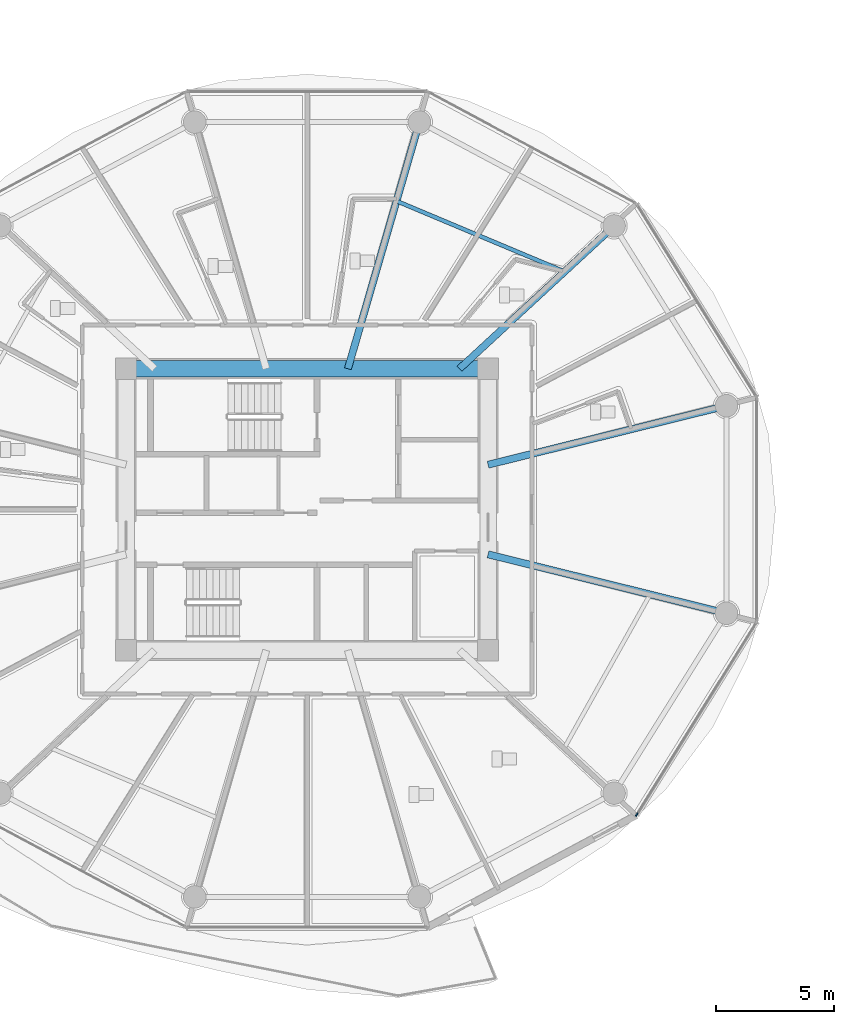
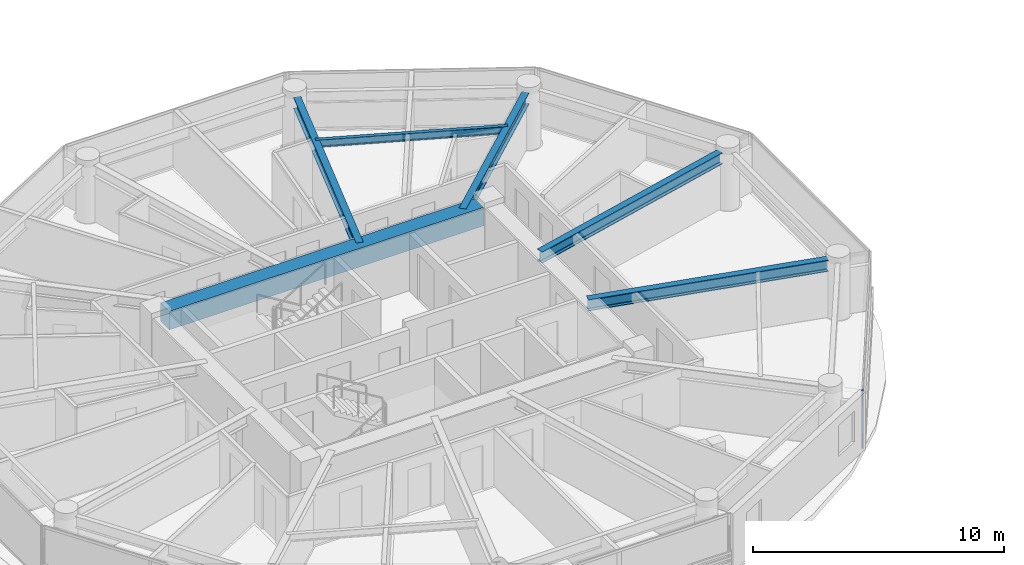
# One storey, part 5 of 31: 6 beams, 1 member, 1 element without a shape of its own.
"""IFC4 building model written with IfcOpenShell, lengths in metres."""

import ifcopenshell
import ifcopenshell.guid

model = None  # the IFC model being written
_history = None  # IfcOwnerHistory: only IFC2X3 demands one
_inside = {}  # id of a spatial element -> (the spatial element, [elements in it])
_under = {}  # id of a project, library or spatial element -> (it, [spatial elements below it])
_declared = {}  # id of a project -> (the project, [libraries it declares])
_typed = {}  # id of a type object -> (the type object, [elements of that type])
_made_of = {}  # id of a material, layer set ... -> (it, [elements and type objects made of it])


def new_model(schema):
    """Start an empty IFC model of exactly this schema.

    Asked for "IFC4X3", IfcOpenShell would pick the latest addendum, in which some entities
    have other attributes; the version numbers below select the first issue.
    IFC2X3 requires an IfcOwnerHistory on every rooted entity: one is made here for all.
    """
    global model, _history
    if schema == "IFC4X3":
        model = ifcopenshell.file(schema_version=(4, 3, 0, 0))
    else:
        model = ifcopenshell.file(schema=schema)
    _inside.clear()
    _under.clear()
    _declared.clear()
    _typed.clear()
    _made_of.clear()
    _history = None
    if model.schema == "IFC2X3":
        org = make("IfcOrganization", Name="unknown")
        user = make(
            "IfcPersonAndOrganization",
            ThePerson=make("IfcPerson", FamilyName="unknown"),
            TheOrganization=org,
        )
        app = make(
            "IfcApplication",
            ApplicationDeveloper=org,
            Version="unknown",
            ApplicationFullName="unknown",
            ApplicationIdentifier="unknown",
        )
        _history = make(
            "IfcOwnerHistory",
            OwningUser=user,
            OwningApplication=app,
            ChangeAction="ADDED",
            CreationDate=0,
        )
    return model


def make(cls, **values):
    """One entity of the class cls with the attributes given. An attribute that is None is left unset."""
    return model.create_entity(
        cls, **{name: value for name, value in values.items() if value is not None}
    )


def rooted(cls, **values):
    """An entity with a GlobalId (a new one), such as an element, a storey or a relation."""
    return make(cls, GlobalId=ifcopenshell.guid.new(), OwnerHistory=_history, **values)


def si_unit(unit_type, name, prefix=None):
    """IfcSIUnit, for example si_unit("LENGTHUNIT", "METRE", prefix="MILLI")."""
    return make("IfcSIUnit", UnitType=unit_type, Prefix=prefix, Name=name)


def assignment(units):
    """IfcUnitAssignment: the units of a project."""
    return None if units is None else make("IfcUnitAssignment", Units=units)


def point(xyz):
    """IfcCartesianPoint."""
    return None if xyz is None else make("IfcCartesianPoint", Coordinates=xyz)


def direction(xyz):
    """IfcDirection."""
    return None if xyz is None else make("IfcDirection", DirectionRatios=xyz)


def frame(location, z_axis=None, x_axis=None):
    """IfcAxis2Placement3D, a coordinate frame: its origin and axes. An axis left out is left unset."""
    return make(
        "IfcAxis2Placement3D",
        Location=point(location),
        Axis=direction(z_axis),
        RefDirection=direction(x_axis),
    )


def frame_2d(location, x_axis=None):
    """IfcAxis2Placement2D, a coordinate frame in the plane: its origin and x axis."""
    return make(
        "IfcAxis2Placement2D", Location=point(location), RefDirection=direction(x_axis)
    )


def origin():
    """The frame at (0, 0, 0) with its axes left unset."""
    return frame((0.0, 0.0, 0.0))


def origin_2d():
    """The frame at (0, 0) in the plane with its x axis left unset."""
    return frame_2d((0.0, 0.0))


def place(relative_to, where):
    """IfcLocalPlacement: puts the frame where relative to a parent placement (None: the world)."""
    return make(
        "IfcLocalPlacement", PlacementRelTo=relative_to, RelativePlacement=where
    )


def context(
    kind, dimensions, precision=None, world=None, true_north=None, identifier=None
):
    """IfcGeometricRepresentationContext, for example the 3D "Model" context."""
    return make(
        "IfcGeometricRepresentationContext",
        ContextIdentifier=identifier,
        ContextType=kind,
        CoordinateSpaceDimension=dimensions,
        Precision=precision,
        WorldCoordinateSystem=world,
        TrueNorth=true_north,
    )


def subcontext(parent, identifier, kind, view, scale=None):
    """IfcGeometricRepresentationSubContext, for example "Body" below "Model"."""
    return make(
        "IfcGeometricRepresentationSubContext",
        ContextIdentifier=identifier,
        ContextType=kind,
        ParentContext=parent,
        TargetScale=scale,
        TargetView=view,
    )


def project(units=None, contexts=None):
    """IfcProject with its units and contexts."""
    return rooted(
        "IfcProject",
        Name="project",
        RepresentationContexts=contexts,
        UnitsInContext=assignment(units),
    )


def spatial(cls, under=None, at=None, **own):
    """A site, building, storey or space (cls), placed at a placement, below another one or the project."""
    s = rooted(cls, ObjectPlacement=at, **own)
    if under is not None:
        _under.setdefault(under.id(), (under, []))[1].append(s)
    return s


def profile(cls, at=None, kind="AREA", **sizes):
    """A parametric profile (cls). Its sizes go by their IFC names, for example OverallWidth=200.0."""
    return make(cls, ProfileType=kind, Position=at, **sizes)


def rectangle(**sizes):
    """IfcRectangleProfileDef."""
    return profile("IfcRectangleProfileDef", **sizes)


def i_section(**sizes):
    """IfcIShapeProfileDef."""
    return profile("IfcIShapeProfileDef", **sizes)


def extrude(swept, where, along, depth):
    """IfcExtrudedAreaSolid: the profile swept, set in the frame where, extruded along a direction by depth."""
    return make(
        "IfcExtrudedAreaSolid",
        SweptArea=swept,
        Position=where,
        ExtrudedDirection=direction(along),
        Depth=depth,
    )


def shape(context_of_items, identifier, shape_type, items):
    """IfcShapeRepresentation: the items that make up one representation, for example the "Body"."""
    return make(
        "IfcShapeRepresentation",
        ContextOfItems=context_of_items,
        RepresentationIdentifier=identifier,
        RepresentationType=shape_type,
        Items=items,
    )


def source(mapping_origin, context_of_items, identifier, shape_type, items):
    """IfcRepresentationMap: a shape defined once, which mapped items show again and again."""
    return make(
        "IfcRepresentationMap",
        MappingOrigin=mapping_origin,
        MappedRepresentation=shape(context_of_items, identifier, shape_type, items),
    )


def transform(
    local_origin,
    x_axis=None,
    y_axis=None,
    z_axis=None,
    scale=None,
    scale2=None,
    scale3=None,
    uniform=True,
):
    """IfcCartesianTransformationOperator3D, or its non-uniform kind. x_axis, y_axis, z_axis: its Axis1, 2, 3."""
    if uniform:
        return make(
            "IfcCartesianTransformationOperator3D",
            Axis1=direction(x_axis),
            Axis2=direction(y_axis),
            LocalOrigin=point(local_origin),
            Scale=scale,
            Axis3=direction(z_axis),
        )
    return make(
        "IfcCartesianTransformationOperator3DnonUniform",
        Axis1=direction(x_axis),
        Axis2=direction(y_axis),
        LocalOrigin=point(local_origin),
        Scale=scale,
        Axis3=direction(z_axis),
        Scale2=scale2,
        Scale3=scale3,
    )


def mapped(mapping_source, mapping_target):
    """IfcMappedItem: shows the shape of a source again, moved by a transform."""
    return make(
        "IfcMappedItem", MappingSource=mapping_source, MappingTarget=mapping_target
    )


def material(Name=None, Category=None):
    """IfcMaterial."""
    return make("IfcMaterial", Name=Name, Category=Category)


def layer(
    of_material, thickness, ventilated=None, Name=None, Category=None, Priority=None
):
    """IfcMaterialLayer: one layer of a wall or slab, of a material (None: an air gap)."""
    return make(
        "IfcMaterialLayer",
        Material=of_material,
        LayerThickness=thickness,
        IsVentilated=ventilated,
        Name=Name,
        Category=Category,
        Priority=Priority,
    )


def layer_set(layers, Name=None):
    """IfcMaterialLayerSet."""
    return make("IfcMaterialLayerSet", MaterialLayers=layers, LayerSetName=Name)


def material_profile(
    of_material, cross_section, Name=None, Category=None, Priority=None
):
    """IfcMaterialProfile: a cross section and its material."""
    return make(
        "IfcMaterialProfile",
        Name=Name,
        Material=of_material,
        Profile=cross_section,
        Priority=Priority,
        Category=Category,
    )


def profile_set(profiles, Name=None, composite=None):
    """IfcMaterialProfileSet."""
    return make(
        "IfcMaterialProfileSet",
        Name=Name,
        MaterialProfiles=profiles,
        CompositeProfile=composite,
    )


def made_of(thing, what):
    """Note that an element or type object is made of a material, layer set ...; save() writes the relation."""
    if what is not None:
        _made_of.setdefault(what.id(), (what, []))[1].append(thing)
    return thing


def type_object(cls, material=None, **own):
    """A type object (cls), such as IfcWallType, which elements share."""
    return made_of(rooted(cls, **own), material)


def type_shapes(of_type, sources):
    """Give a type object the sources (RepresentationMaps) that its elements show as mapped items."""
    of_type.RepresentationMaps = sources


def element(
    cls,
    number,
    at=None,
    inside=None,
    cuts=None,
    type_object=None,
    material=None,
    context=None,
    identifier="Body",
    shape_type=None,
    held_by="IfcProductDefinitionShape",
    body=None,
    shapes=None,
    **own,
):
    """One element of the class cls, such as IfcWall. Its Tag is "e" and its number.

    at: its placement. inside: the storey or other place that contains it. cuts: it is an
    opening in that element (IfcRelVoidsElement). A single representation is given by context,
    identifier, shape_type and body (its items); several are given by shapes. held_by: the class
    of the entity that holds the representations. save() writes the other relations.
    """
    e = rooted(cls, Tag="e%d" % number, ObjectPlacement=at, **own)
    if body is not None:
        shapes = [shape(context, identifier, shape_type, body)]
    if shapes is not None:
        e.Representation = make(held_by, Representations=shapes)
    if inside is not None:
        _inside.setdefault(inside.id(), (inside, []))[1].append(e)
    if cuts is not None:
        rooted(
            "IfcRelVoidsElement", RelatingBuildingElement=cuts, RelatedOpeningElement=e
        )
    if type_object is not None:
        _typed.setdefault(type_object.id(), (type_object, []))[1].append(e)
    return made_of(e, material)


def aggregate(whole, parts):
    """IfcRelAggregates: a whole, such as a stair, and the parts it consists of."""
    return rooted("IfcRelAggregates", RelatingObject=whole, RelatedObjects=parts)


def save(model, path):
    """Write the relations noted so far, then the file.

    IfcRelAggregates (storeys below a building ...), IfcRelContainedInSpatialStructure (elements
    in a storey), IfcRelDefinesByType, IfcRelAssociatesMaterial and IfcRelDeclares: one each for
    every whole, place, type object, material and project.
    """
    for whole, parts in _under.values():
        aggregate(whole, parts)
    for where, things in _inside.values():
        rooted(
            "IfcRelContainedInSpatialStructure",
            RelatedElements=things,
            RelatingStructure=where,
        )
    for kind, things in _typed.values():
        rooted("IfcRelDefinesByType", RelatedObjects=things, RelatingType=kind)
    for what, things in _made_of.values():
        rooted("IfcRelAssociatesMaterial", RelatedObjects=things, RelatingMaterial=what)
    for by, libraries in _declared.values():
        rooted("IfcRelDeclares", RelatingContext=by, RelatedDefinitions=libraries)
    model.write(path)


model = new_model("IFC4")

# Units and contexts
model_context = context("Model", 3, precision=1e-05, world=origin(), true_north=direction((0.0, 1.0)))
body_context = subcontext(model_context, "Body", "Model", "MODEL_VIEW")
ifc_project = project(units=[si_unit("LENGTHUNIT", "METRE"), si_unit("AREAUNIT", "SQUARE_METRE"), si_unit("VOLUMEUNIT", "CUBIC_METRE"), si_unit("PLANEANGLEUNIT", "RADIAN"), si_unit("MASSUNIT", "GRAM", prefix="KILO")], contexts=[model_context])

# Site, building, storey
site_placement = place(None, origin())
site = spatial("IfcSite", under=ifc_project, at=site_placement, CompositionType="ELEMENT")
building_placement = place(site_placement, origin())
building = spatial("IfcBuilding", under=site, at=building_placement, Name="Norrkilde Senior Care Towers", CompositionType="ELEMENT")
storey_placement = place(building_placement, frame((0.0, 0.0, 42.949951171875)))
storey = spatial("IfcBuildingStorey", under=building, at=storey_placement, Name="L12", CompositionType="ELEMENT", Elevation=42.949951171875)

# Beams
ifc_material_1 = material(Name="Concrete C60/75", Category="concrete")
ifc_material_profile_1 = material_profile(ifc_material_1, rectangle(XDim=0.699951171875, YDim=0.89990234375, at=origin_2d()), Name="RC BM 700x900")
ifc_profile_set_1 = profile_set([ifc_material_profile_1], Name="Concrete C60/75")
beam_type_1 = type_object("IfcBeamType", Name="Core Coupling Girder 700x900", PredefinedType="USERDEFINED", material=ifc_profile_set_1)
shared_shape_1 = source(origin(), body_context, "Body", "SweptSolid", [
    extrude(rectangle(XDim=0.699951171875, YDim=0.89990234375, at=origin_2d()), origin(), (0.0, 0.0, 1.0), 14.43994140625),
])
type_shapes(beam_type_1, [shared_shape_1])
beam_1_placement = place(storey_placement, frame((-35.219970703125, 5.949951171875, 2.340087890625), z_axis=(1.0, 0.0, 0.0), x_axis=(0.0, 1.0, 0.0)))
element("IfcBeam", 1, at=beam_1_placement, inside=storey, type_object=beam_type_1, Name="L12 Core W N Coupling Girder", ObjectType="GIRDER", PredefinedType="USERDEFINED", context=body_context, shape_type="MappedRepresentation", body=[
    mapped(shared_shape_1, transform((0.0, 0.0, 0.0), x_axis=(1.0, 0.0, 0.0), y_axis=(0.0, 1.0, 0.0), z_axis=(0.0, 0.0, 1.0), scale=1.0)),
])
ifc_material_2 = material(Name="Steel S355", Category="steel")
ifc_material_profile_2 = material_profile(ifc_material_2, i_section(OverallWidth=0.300048828125, OverallDepth=0.550048828125, WebThickness=0.014892578125, FlangeThickness=0.029052734375, FilletRadius=0.027099609375, at=origin_2d()), Name="HEB 550")
ifc_profile_set_2 = profile_set([ifc_material_profile_2], Name="Steel S355")
beam_type_2 = type_object("IfcBeamType", Name="Radial Floor Beam Z1 HEB550", PredefinedType="BEAM", material=ifc_profile_set_2)
shared_shape_2 = source(origin(), body_context, "Body", "SweptSolid", [
    extrude(i_section(OverallWidth=0.300048828125, OverallDepth=0.550048828125, WebThickness=0.014892578125, FlangeThickness=0.029052734375, FilletRadius=0.027099609375, at=origin_2d()), origin(), (0.0, 0.0, 1.0), 9.94384765625),
])
for number, where, z_axis, x_axis, name in (
    (2, (-20.35009765625, 1.893310546875, 2.51513671875), (0.970707425182, 0.240264634718, 0.0), (-0.240264634718, 0.970707425182, 0.0), "L12 Drum W Radial Floor Beam 01"),
    (3, (-20.35009765625, -1.893310546875, 2.51513671875), (0.970707425182, -0.240264634718, 0.0), (0.240264634718, 0.970707425182, 0.0), "L12 Drum W Radial Floor Beam 12"),
):
    element("IfcBeam", number, at=place(storey_placement, frame(where, z_axis=z_axis, x_axis=x_axis)), inside=storey, type_object=beam_type_2, Name=name, PredefinedType="BEAM", context=body_context, shape_type="MappedRepresentation", body=[
        mapped(shared_shape_2, transform((0.0, 0.0, 0.0), x_axis=(1.0, 0.0, 0.0), y_axis=(0.0, 1.0, 0.0), z_axis=(0.0, 0.0, 1.0), scale=1.0)),
    ])
shared_shape_3 = source(origin(), body_context, "Body", "SweptSolid", [
    extrude(i_section(OverallWidth=0.300048828125, OverallDepth=0.550048828125, WebThickness=0.014892578125, FlangeThickness=0.029052734375, FilletRadius=0.027099609375, at=origin_2d()), origin(), (0.0, 0.0, 1.0), 8.459716796875),
])
beam_2_placement = place(storey_placement, frame((-21.55859375, 5.949951171875, 2.51513671875), z_axis=(0.734573269108, 0.678529374686, 0.0), x_axis=(-0.678529374686, 0.734573269108, 0.0)))
element("IfcBeam", 4, at=beam_2_placement, inside=storey, type_object=beam_type_2, Name="L12 Drum W Radial Floor Beam 02", PredefinedType="BEAM", context=body_context, shape_type="MappedRepresentation", body=[
    mapped(shared_shape_3, transform((0.0, 0.0, 0.0), x_axis=(1.0, 0.0, 0.0), y_axis=(0.0, 1.0, 0.0), z_axis=(0.0, 0.0, 1.0), scale=1.0)),
])
shared_shape_4 = source(origin(), body_context, "Body", "SweptSolid", [
    extrude(i_section(OverallWidth=0.300048828125, OverallDepth=0.550048828125, WebThickness=0.014892578125, FlangeThickness=0.029052734375, FilletRadius=0.027099609375, at=origin_2d()), origin(), (0.0, 0.0, 1.0), 10.4169921875),
])
type_shapes(beam_type_2, [shared_shape_2, shared_shape_3, shared_shape_4])
beam_3_placement = place(storey_placement, frame((-26.27392578125, 5.949951171875, 2.51513671875), z_axis=(0.278591250785, 0.960409764104, 0.0), x_axis=(-0.960409764104, 0.278591250785, 0.0)))
element("IfcBeam", 5, at=beam_3_placement, inside=storey, type_object=beam_type_2, Name="L12 Drum W Radial Floor Beam 03", PredefinedType="BEAM", context=body_context, shape_type="MappedRepresentation", body=[
    mapped(shared_shape_4, transform((0.0, 0.0, 0.0), x_axis=(1.0, 0.0, 0.0), y_axis=(0.0, 1.0, 0.0), z_axis=(0.0, 0.0, 1.0), scale=1.0)),
])
ifc_material_profile_3 = material_profile(ifc_material_2, i_section(OverallWidth=0.169921875, OverallDepth=0.360107421875, WebThickness=0.008056640625, FlangeThickness=0.0126953125, FilletRadius=0.01806640625, at=origin_2d()), Name="IPE 360")
ifc_profile_set_3 = profile_set([ifc_material_profile_3], Name="Steel S355")
beam_type_3 = type_object("IfcBeamType", Name="Secondary Floor Joist IPE360", PredefinedType="JOIST", material=ifc_profile_set_3)
shared_shape_5 = source(origin(), body_context, "Body", "SweptSolid", [
    extrude(i_section(OverallWidth=0.169921875, OverallDepth=0.360107421875, WebThickness=0.008056640625, FlangeThickness=0.0126953125, FilletRadius=0.01806640625, at=origin_2d()), origin(), (0.0, 0.0, 1.0), 7.703857421875),
])
type_shapes(beam_type_3, [shared_shape_5])
beam_4_placement = place(storey_placement, frame((-17.115478515625, 10.05419921875, 2.610107421875), z_axis=(-0.921982784465, 0.387230868023, 0.0), x_axis=(-0.387230868023, -0.921982784465, 0.0)))
element("IfcBeam", 6, at=beam_4_placement, inside=storey, type_object=beam_type_3, Name="L12 Drum W Secondary Floor Joist 1", PredefinedType="JOIST", context=body_context, shape_type="MappedRepresentation", body=[
    mapped(shared_shape_5, transform((0.0, 0.0, 0.0), x_axis=(1.0, 0.0, 0.0), y_axis=(0.0, 1.0, 0.0), z_axis=(0.0, 0.0, 1.0), scale=1.0)),
])

# Curtain wall, member
ifc_material_3 = material(Name="Triple Low-E Insulated Glazing", Category="glass")
ifc_layer = layer(ifc_material_3, 0.199951171875)
ifc_layer_set = layer_set([ifc_layer], Name="Triple Low-E Insulated Glazing")
curtain_wall_type = type_object("IfcCurtainWallType", Name="CW2 Zone 1 Memory Care Curtain Wall", PredefinedType="NOTDEFINED", material=ifc_layer_set)
curtain_wall_placement = place(storey_placement, origin())
curtain_wall = element("IfcCurtainWall", 7, at=curtain_wall_placement, inside=storey, type_object=curtain_wall_type, Name="L12 Drum W Curtain Wall 10", PredefinedType="NOTDEFINED")
ifc_material_4 = material(Name="Anodised Aluminium", Category="aluminium")
ifc_material_profile_4 = material_profile(ifc_material_4, rectangle(XDim=0.06494140625, YDim=0.159912109375, at=origin_2d()), Name="ALU MULL 65x160")
ifc_profile_set_4 = profile_set([ifc_material_profile_4], Name="Anodised Aluminium")
member_type = type_object("IfcMemberType", Name="Curtain Wall Mullion Z1-Z2 65x160", PredefinedType="MULLION", material=ifc_profile_set_4)
shared_shape_6 = source(origin(), body_context, "Body", "SweptSolid", [
    extrude(rectangle(XDim=0.06494140625, YDim=0.159912109375, at=origin_2d()), origin(), (0.0, 0.0, 1.0), 2.7900390625),
])
type_shapes(member_type, [shared_shape_6])
member_placement = place(storey_placement, frame((-14.06689453125, -12.898193359375, 0.0), z_axis=(0.0, 0.0, 1.0), x_axis=(0.849305943117, -0.527900951871, 0.0)))
member = element("IfcMember", 8, at=member_placement, type_object=member_type, Name="CW-2 mullion 2", PredefinedType="MULLION", context=body_context, shape_type="MappedRepresentation", body=[
    mapped(shared_shape_6, transform((0.0, 0.0, 0.0), x_axis=(1.0, 0.0, 0.0), y_axis=(0.0, 1.0, 0.0), z_axis=(0.0, 0.0, 1.0), scale=1.0)),
])
aggregate(curtain_wall, [member])

save(model, "model.ifc")
